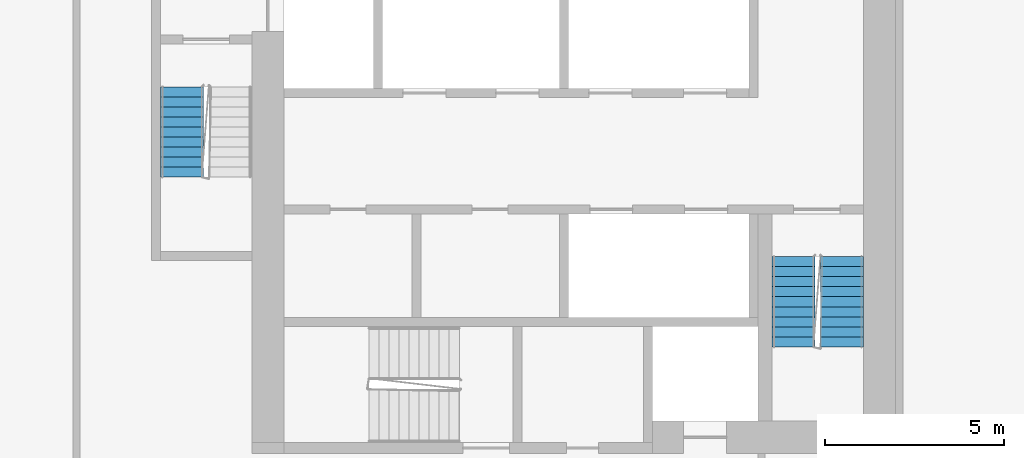
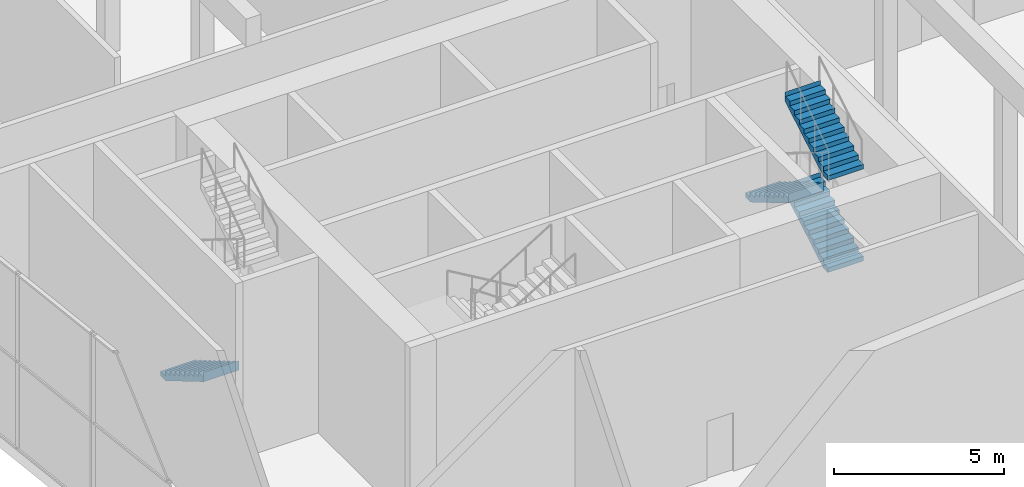
# One storey, part 17 of 24: 4 stair flights, 2 elements without a shape of their own.
"""IFC4 building model written with IfcOpenShell, lengths in metres."""

import ifcopenshell
import ifcopenshell.guid

model = None  # the IFC model being written
_history = None  # IfcOwnerHistory: only IFC2X3 demands one
_inside = {}  # id of a spatial element -> (the spatial element, [elements in it])
_under = {}  # id of a project, library or spatial element -> (it, [spatial elements below it])
_declared = {}  # id of a project -> (the project, [libraries it declares])
_typed = {}  # id of a type object -> (the type object, [elements of that type])
_made_of = {}  # id of a material, layer set ... -> (it, [elements and type objects made of it])


def new_model(schema):
    """Start an empty IFC model of exactly this schema.

    Asked for "IFC4X3", IfcOpenShell would pick the latest addendum, in which some entities
    have other attributes; the version numbers below select the first issue.
    IFC2X3 requires an IfcOwnerHistory on every rooted entity: one is made here for all.
    """
    global model, _history
    if schema == "IFC4X3":
        model = ifcopenshell.file(schema_version=(4, 3, 0, 0))
    else:
        model = ifcopenshell.file(schema=schema)
    _inside.clear()
    _under.clear()
    _declared.clear()
    _typed.clear()
    _made_of.clear()
    _history = None
    if model.schema == "IFC2X3":
        org = make("IfcOrganization", Name="unknown")
        user = make(
            "IfcPersonAndOrganization",
            ThePerson=make("IfcPerson", FamilyName="unknown"),
            TheOrganization=org,
        )
        app = make(
            "IfcApplication",
            ApplicationDeveloper=org,
            Version="unknown",
            ApplicationFullName="unknown",
            ApplicationIdentifier="unknown",
        )
        _history = make(
            "IfcOwnerHistory",
            OwningUser=user,
            OwningApplication=app,
            ChangeAction="ADDED",
            CreationDate=0,
        )
    return model


def make(cls, **values):
    """One entity of the class cls with the attributes given. An attribute that is None is left unset."""
    return model.create_entity(
        cls, **{name: value for name, value in values.items() if value is not None}
    )


def rooted(cls, **values):
    """An entity with a GlobalId (a new one), such as an element, a storey or a relation."""
    return make(cls, GlobalId=ifcopenshell.guid.new(), OwnerHistory=_history, **values)


def si_unit(unit_type, name, prefix=None):
    """IfcSIUnit, for example si_unit("LENGTHUNIT", "METRE", prefix="MILLI")."""
    return make("IfcSIUnit", UnitType=unit_type, Prefix=prefix, Name=name)


def assignment(units):
    """IfcUnitAssignment: the units of a project."""
    return None if units is None else make("IfcUnitAssignment", Units=units)


def point(xyz):
    """IfcCartesianPoint."""
    return None if xyz is None else make("IfcCartesianPoint", Coordinates=xyz)


def direction(xyz):
    """IfcDirection."""
    return None if xyz is None else make("IfcDirection", DirectionRatios=xyz)


def frame(location, z_axis=None, x_axis=None):
    """IfcAxis2Placement3D, a coordinate frame: its origin and axes. An axis left out is left unset."""
    return make(
        "IfcAxis2Placement3D",
        Location=point(location),
        Axis=direction(z_axis),
        RefDirection=direction(x_axis),
    )


def origin():
    """The frame at (0, 0, 0) with its axes left unset."""
    return frame((0.0, 0.0, 0.0))


def place(relative_to, where):
    """IfcLocalPlacement: puts the frame where relative to a parent placement (None: the world)."""
    return make(
        "IfcLocalPlacement", PlacementRelTo=relative_to, RelativePlacement=where
    )


def context(
    kind, dimensions, precision=None, world=None, true_north=None, identifier=None
):
    """IfcGeometricRepresentationContext, for example the 3D "Model" context."""
    return make(
        "IfcGeometricRepresentationContext",
        ContextIdentifier=identifier,
        ContextType=kind,
        CoordinateSpaceDimension=dimensions,
        Precision=precision,
        WorldCoordinateSystem=world,
        TrueNorth=true_north,
    )


def subcontext(parent, identifier, kind, view, scale=None):
    """IfcGeometricRepresentationSubContext, for example "Body" below "Model"."""
    return make(
        "IfcGeometricRepresentationSubContext",
        ContextIdentifier=identifier,
        ContextType=kind,
        ParentContext=parent,
        TargetScale=scale,
        TargetView=view,
    )


def project(units=None, contexts=None):
    """IfcProject with its units and contexts."""
    return rooted(
        "IfcProject",
        Name="project",
        RepresentationContexts=contexts,
        UnitsInContext=assignment(units),
    )


def spatial(cls, under=None, at=None, **own):
    """A site, building, storey or space (cls), placed at a placement, below another one or the project."""
    s = rooted(cls, ObjectPlacement=at, **own)
    if under is not None:
        _under.setdefault(under.id(), (under, []))[1].append(s)
    return s


def faces_of(points, faces, orient=None, outer=None):
    """IfcFace entities. A face is a list of loops; a loop is a list of indices into points, from 0.

    orient and outer hold one flag for each loop. By default every Orientation is true, the
    first loop of a face is its IfcFaceOuterBound and the others are IfcFaceBound.
    """
    made = []
    for i, loops in enumerate(faces):
        bounds = []
        for j, loop in enumerate(loops):
            is_outer = j == 0 if outer is None else outer[i][j]
            bounds.append(
                make(
                    "IfcFaceOuterBound" if is_outer else "IfcFaceBound",
                    Bound=make("IfcPolyLoop", Polygon=[points[k] for k in loop]),
                    Orientation=True if orient is None else orient[i][j],
                )
            )
        made.append(make("IfcFace", Bounds=bounds))
    return made


def faceted_brep(points, faces, orient=None, outer=None, voids=None):
    """IfcFacetedBrep: a solid bounded by flat faces; with voids (closed shells), ...WithVoids."""
    shared = [point(p) for p in points]
    hull = make("IfcClosedShell", CfsFaces=faces_of(shared, faces, orient, outer))
    if voids is None:
        return make("IfcFacetedBrep", Outer=hull)
    return make(
        "IfcFacetedBrepWithVoids",
        Outer=hull,
        Voids=[
            make(cls, CfsFaces=faces_of(shared, fs, o, b)) for cls, fs, o, b in voids
        ],
    )


def shape(context_of_items, identifier, shape_type, items):
    """IfcShapeRepresentation: the items that make up one representation, for example the "Body"."""
    return make(
        "IfcShapeRepresentation",
        ContextOfItems=context_of_items,
        RepresentationIdentifier=identifier,
        RepresentationType=shape_type,
        Items=items,
    )


def material(Name=None, Category=None):
    """IfcMaterial."""
    return make("IfcMaterial", Name=Name, Category=Category)


def made_of(thing, what):
    """Note that an element or type object is made of a material, layer set ...; save() writes the relation."""
    if what is not None:
        _made_of.setdefault(what.id(), (what, []))[1].append(thing)
    return thing


def type_object(cls, material=None, **own):
    """A type object (cls), such as IfcWallType, which elements share."""
    return made_of(rooted(cls, **own), material)


def element(
    cls,
    number,
    at=None,
    inside=None,
    cuts=None,
    type_object=None,
    material=None,
    context=None,
    identifier="Body",
    shape_type=None,
    held_by="IfcProductDefinitionShape",
    body=None,
    shapes=None,
    **own,
):
    """One element of the class cls, such as IfcWall. Its Tag is "e" and its number.

    at: its placement. inside: the storey or other place that contains it. cuts: it is an
    opening in that element (IfcRelVoidsElement). A single representation is given by context,
    identifier, shape_type and body (its items); several are given by shapes. held_by: the class
    of the entity that holds the representations. save() writes the other relations.
    """
    e = rooted(cls, Tag="e%d" % number, ObjectPlacement=at, **own)
    if body is not None:
        shapes = [shape(context, identifier, shape_type, body)]
    if shapes is not None:
        e.Representation = make(held_by, Representations=shapes)
    if inside is not None:
        _inside.setdefault(inside.id(), (inside, []))[1].append(e)
    if cuts is not None:
        rooted(
            "IfcRelVoidsElement", RelatingBuildingElement=cuts, RelatedOpeningElement=e
        )
    if type_object is not None:
        _typed.setdefault(type_object.id(), (type_object, []))[1].append(e)
    return made_of(e, material)


def aggregate(whole, parts):
    """IfcRelAggregates: a whole, such as a stair, and the parts it consists of."""
    return rooted("IfcRelAggregates", RelatingObject=whole, RelatedObjects=parts)


def save(model, path):
    """Write the relations noted so far, then the file.

    IfcRelAggregates (storeys below a building ...), IfcRelContainedInSpatialStructure (elements
    in a storey), IfcRelDefinesByType, IfcRelAssociatesMaterial and IfcRelDeclares: one each for
    every whole, place, type object, material and project.
    """
    for whole, parts in _under.values():
        aggregate(whole, parts)
    for where, things in _inside.values():
        rooted(
            "IfcRelContainedInSpatialStructure",
            RelatedElements=things,
            RelatingStructure=where,
        )
    for kind, things in _typed.values():
        rooted("IfcRelDefinesByType", RelatedObjects=things, RelatingType=kind)
    for what, things in _made_of.values():
        rooted("IfcRelAssociatesMaterial", RelatedObjects=things, RelatingMaterial=what)
    for by, libraries in _declared.values():
        rooted("IfcRelDeclares", RelatingContext=by, RelatedDefinitions=libraries)
    model.write(path)


model = new_model("IFC4")

# Units and contexts
model_context = context("Model", 3, precision=1e-05, world=origin(), true_north=direction((0.0, 1.0)))
body_context = subcontext(model_context, "Body", "Model", "MODEL_VIEW")
ifc_project = project(units=[si_unit("LENGTHUNIT", "METRE"), si_unit("AREAUNIT", "SQUARE_METRE"), si_unit("VOLUMEUNIT", "CUBIC_METRE"), si_unit("PLANEANGLEUNIT", "RADIAN"), si_unit("MASSUNIT", "GRAM", prefix="KILO")], contexts=[model_context])

# Site, building, storey
site_placement = place(None, origin())
site = spatial("IfcSite", under=ifc_project, at=site_placement, CompositionType="ELEMENT")
building_placement = place(site_placement, origin())
building = spatial("IfcBuilding", under=site, at=building_placement, Name="Kajstack Hotel Tower", CompositionType="ELEMENT")
storey_placement = place(building_placement, frame((0.0, 0.0, 261.89990234375)))
storey = spatial("IfcBuildingStorey", under=building, at=storey_placement, Name="L65", CompositionType="ELEMENT", Elevation=261.89990234375)

# Stair, stair flight
ifc_material = material(Name="Concrete C40/50", Category="concrete")
stair_type = type_object("IfcStairType", Name="Exit stair 1200", PredefinedType="HALF_TURN_STAIR", material=ifc_material)
stair_1_placement = place(storey_placement, origin())
stair_1 = element("IfcStair", 1, at=stair_1_placement, inside=storey, type_object=stair_type, Name="L65 stair W1", PredefinedType="HALF_TURN_STAIR")
stair_flight_type = type_object("IfcStairFlightType", Name="Exit stair flight 1200", PredefinedType="STRAIGHT", material=ifc_material)
stair_flight_1_placement = place(storey_placement, frame((-33.449951171875, -5.25, 0.0), z_axis=(0.0, 0.0, 1.0), x_axis=(0.0, -1.0, 0.0)))
stair_flight_1 = element("IfcStairFlight", 2, at=stair_flight_1_placement, type_object=stair_flight_type, Name="W1 flight 1", NumberOfRisers=10, NumberOfTreads=9, PredefinedType="STRAIGHT", RiserHeight=0.165, TreadLength=0.28, context=body_context, shape_type="Brep", body=[
    faceted_brep([(0.295654296875, -0.60009765625, 0.0), (2.5205078125, -0.60009765625, 1.31103515625), (2.5205078125, -0.60009765625, 1.64990234375), (2.52001953125, -0.60009765625, 1.64990234375), (2.52001953125, -0.60009765625, 1.485107421875), (2.239990234375, -0.60009765625, 1.485107421875), (2.239990234375, -0.60009765625, 1.320068359375), (1.9599609375, -0.60009765625, 1.320068359375), (1.9599609375, -0.60009765625, 1.155029296875), (1.679931640625, -0.60009765625, 1.155029296875), (1.679931640625, -0.60009765625, 0.989990234375), (1.39990234375, -0.60009765625, 0.989990234375), (1.39990234375, -0.60009765625, 0.824951171875), (1.1201171875, -0.60009765625, 0.824951171875), (1.1201171875, -0.60009765625, 0.659912109375), (0.840087890625, -0.60009765625, 0.659912109375), (0.840087890625, -0.60009765625, 0.4951171875), (0.56005859375, -0.60009765625, 0.4951171875), (0.56005859375, -0.60009765625, 0.330078125), (0.280029296875, -0.60009765625, 0.330078125), (0.280029296875, -0.60009765625, 0.1650390625), (-0.00048828125, -0.60009765625, 0.1650390625), (-0.00048828125, -0.60009765625, 0.0), (-0.00048828125, 0.60009765625, 0.0), (-0.00048828125, 0.60009765625, 0.1650390625), (0.280029296875, 0.60009765625, 0.1650390625), (0.280029296875, 0.60009765625, 0.330078125), (0.56005859375, 0.60009765625, 0.330078125), (0.56005859375, 0.60009765625, 0.4951171875), (0.840087890625, 0.60009765625, 0.4951171875), (0.840087890625, 0.60009765625, 0.659912109375), (1.1201171875, 0.60009765625, 0.659912109375), (1.1201171875, 0.60009765625, 0.824951171875), (1.39990234375, 0.60009765625, 0.824951171875), (1.39990234375, 0.60009765625, 0.989990234375), (1.679931640625, 0.60009765625, 0.989990234375), (1.679931640625, 0.60009765625, 1.155029296875), (1.9599609375, 0.60009765625, 1.155029296875), (1.9599609375, 0.60009765625, 1.320068359375), (2.239990234375, 0.60009765625, 1.320068359375), (2.239990234375, 0.60009765625, 1.485107421875), (2.52001953125, 0.60009765625, 1.485107421875), (2.52001953125, 0.60009765625, 1.64990234375), (2.5205078125, 0.60009765625, 1.64990234375), (2.5205078125, 0.60009765625, 1.31103515625), (0.295654296875, 0.60009765625, 0.0), (-0.00048828125, -0.300048828125, 0.1650390625), (-0.00048828125, 0.0, 0.1650390625), (-0.00048828125, 0.300048828125, 0.1650390625), (-0.00048828125, 0.300048828125, 0.0), (-0.00048828125, 0.0, 0.0), (-0.00048828125, -0.300048828125, 0.0), (0.280029296875, -0.300048828125, 0.1650390625), (0.280029296875, 0.0, 0.1650390625), (0.280029296875, 0.300048828125, 0.1650390625), (0.280029296875, -0.300048828125, 0.330078125), (0.280029296875, 0.0, 0.330078125), (0.280029296875, 0.300048828125, 0.330078125), (0.56005859375, -0.300048828125, 0.330078125), (0.56005859375, 0.0, 0.330078125), (0.56005859375, 0.300048828125, 0.330078125), (0.56005859375, -0.300048828125, 0.4951171875), (0.56005859375, 0.0, 0.4951171875), (0.56005859375, 0.300048828125, 0.4951171875), (0.840087890625, -0.300048828125, 0.4951171875), (0.840087890625, 0.0, 0.4951171875), (0.840087890625, 0.300048828125, 0.4951171875), (0.840087890625, -0.300048828125, 0.659912109375), (0.840087890625, 0.0, 0.659912109375), (0.840087890625, 0.300048828125, 0.659912109375), (1.1201171875, -0.300048828125, 0.659912109375), (1.1201171875, 0.0, 0.659912109375), (1.1201171875, 0.300048828125, 0.659912109375), (1.1201171875, -0.300048828125, 0.824951171875), (1.1201171875, 0.0, 0.824951171875), (1.1201171875, 0.300048828125, 0.824951171875), (1.39990234375, -0.300048828125, 0.824951171875), (1.39990234375, 0.0, 0.824951171875), (1.39990234375, 0.300048828125, 0.824951171875), (1.39990234375, -0.300048828125, 0.989990234375), (1.39990234375, 0.0, 0.989990234375), (1.39990234375, 0.300048828125, 0.989990234375), (1.679931640625, -0.300048828125, 0.989990234375), (1.679931640625, 0.0, 0.989990234375), (1.679931640625, 0.300048828125, 0.989990234375), (1.679931640625, -0.300048828125, 1.155029296875), (1.679931640625, 0.0, 1.155029296875), (1.679931640625, 0.300048828125, 1.155029296875), (1.9599609375, -0.300048828125, 1.155029296875), (1.9599609375, 0.0, 1.155029296875), (1.9599609375, 0.300048828125, 1.155029296875), (1.9599609375, -0.300048828125, 1.320068359375), (1.9599609375, 0.0, 1.320068359375), (1.9599609375, 0.300048828125, 1.320068359375), (2.239990234375, -0.300048828125, 1.320068359375), (2.239990234375, 0.0, 1.320068359375), (2.239990234375, 0.300048828125, 1.320068359375), (2.239990234375, -0.300048828125, 1.485107421875), (2.239990234375, 0.0, 1.485107421875), (2.239990234375, 0.300048828125, 1.485107421875), (2.52001953125, -0.300048828125, 1.485107421875), (2.52001953125, 0.0, 1.485107421875), (2.52001953125, 0.300048828125, 1.485107421875), (2.52001953125, -0.300048828125, 1.64990234375), (2.52001953125, 0.0, 1.64990234375), (2.52001953125, 0.300048828125, 1.64990234375), (2.5205078125, -0.300048828125, 1.64990234375), (2.5205078125, 0.0, 1.64990234375), (2.5205078125, 0.300048828125, 1.64990234375), (2.5205078125, -0.300048828125, 1.31103515625), (2.5205078125, 0.0, 1.31103515625), (2.5205078125, 0.300048828125, 1.31103515625), (0.295654296875, -0.300048828125, 0.0), (0.295654296875, 0.0, 0.0), (0.295654296875, 0.300048828125, 0.0)], [[[0, 1, 2, 3, 4, 5, 6, 7, 8, 9, 10, 11, 12, 13, 14, 15, 16, 17, 18, 19, 20, 21, 22]], [[23, 24, 25, 26, 27, 28, 29, 30, 31, 32, 33, 34, 35, 36, 37, 38, 39, 40, 41, 42, 43, 44, 45]], [[21, 46, 47, 48, 24, 23, 49, 50, 51, 22]], [[20, 52, 53, 54, 25, 24, 48, 47, 46, 21]], [[19, 55, 56, 57, 26, 25, 54, 53, 52, 20]], [[18, 58, 59, 60, 27, 26, 57, 56, 55, 19]], [[17, 61, 62, 63, 28, 27, 60, 59, 58, 18]], [[16, 64, 65, 66, 29, 28, 63, 62, 61, 17]], [[15, 67, 68, 69, 30, 29, 66, 65, 64, 16]], [[14, 70, 71, 72, 31, 30, 69, 68, 67, 15]], [[13, 73, 74, 75, 32, 31, 72, 71, 70, 14]], [[12, 76, 77, 78, 33, 32, 75, 74, 73, 13]], [[11, 79, 80, 81, 34, 33, 78, 77, 76, 12]], [[10, 82, 83, 84, 35, 34, 81, 80, 79, 11]], [[9, 85, 86, 87, 36, 35, 84, 83, 82, 10]], [[8, 88, 89, 90, 37, 36, 87, 86, 85, 9]], [[7, 91, 92, 93, 38, 37, 90, 89, 88, 8]], [[6, 94, 95, 96, 39, 38, 93, 92, 91, 7]], [[5, 97, 98, 99, 40, 39, 96, 95, 94, 6]], [[4, 100, 101, 102, 41, 40, 99, 98, 97, 5]], [[3, 103, 104, 105, 42, 41, 102, 101, 100, 4]], [[2, 106, 107, 108, 43, 42, 105, 104, 103, 3]], [[1, 109, 110, 111, 44, 43, 108, 107, 106, 2]], [[0, 112, 113, 114, 45, 44, 111, 110, 109, 1]], [[22, 51, 50, 49, 23, 45, 114, 113, 112, 0]]]),
])
aggregate(stair_1, [stair_flight_1])

# Stair, stair flights
stair_2_placement = place(storey_placement, origin())
stair_2 = element("IfcStair", 3, at=stair_2_placement, inside=storey, type_object=stair_type, Name="L65 stair W2", PredefinedType="HALF_TURN_STAIR")
stair_flight_2_placement = place(storey_placement, frame((-15.0, -12.52001953125, 1.650146484375), z_axis=(0.0, 0.0, 1.0), x_axis=(0.0, 1.0, 0.0)))
stair_flight_2 = element("IfcStairFlight", 4, at=stair_flight_2_placement, type_object=stair_flight_type, Name="W2 flight 2", NumberOfRisers=10, NumberOfTreads=9, PredefinedType="STRAIGHT", RiserHeight=0.165, TreadLength=0.28, context=body_context, shape_type="Brep", body=[
    faceted_brep([(0.295654296875, -0.60009765625, 0.0), (2.5205078125, -0.60009765625, 1.31103515625), (2.5205078125, -0.60009765625, 1.64990234375), (2.52001953125, -0.60009765625, 1.64990234375), (2.52001953125, -0.60009765625, 1.485107421875), (2.239990234375, -0.60009765625, 1.485107421875), (2.239990234375, -0.60009765625, 1.320068359375), (1.9599609375, -0.60009765625, 1.320068359375), (1.9599609375, -0.60009765625, 1.155029296875), (1.679931640625, -0.60009765625, 1.155029296875), (1.679931640625, -0.60009765625, 0.989990234375), (1.39990234375, -0.60009765625, 0.989990234375), (1.39990234375, -0.60009765625, 0.824951171875), (1.1201171875, -0.60009765625, 0.824951171875), (1.1201171875, -0.60009765625, 0.659912109375), (0.840087890625, -0.60009765625, 0.659912109375), (0.840087890625, -0.60009765625, 0.4951171875), (0.56005859375, -0.60009765625, 0.4951171875), (0.56005859375, -0.60009765625, 0.330078125), (0.280029296875, -0.60009765625, 0.330078125), (0.280029296875, -0.60009765625, 0.1650390625), (-0.00048828125, -0.60009765625, 0.1650390625), (-0.00048828125, -0.60009765625, 0.0), (-0.00048828125, 0.60009765625, 0.0), (-0.00048828125, 0.60009765625, 0.1650390625), (0.280029296875, 0.60009765625, 0.1650390625), (0.280029296875, 0.60009765625, 0.330078125), (0.56005859375, 0.60009765625, 0.330078125), (0.56005859375, 0.60009765625, 0.4951171875), (0.840087890625, 0.60009765625, 0.4951171875), (0.840087890625, 0.60009765625, 0.659912109375), (1.1201171875, 0.60009765625, 0.659912109375), (1.1201171875, 0.60009765625, 0.824951171875), (1.39990234375, 0.60009765625, 0.824951171875), (1.39990234375, 0.60009765625, 0.989990234375), (1.679931640625, 0.60009765625, 0.989990234375), (1.679931640625, 0.60009765625, 1.155029296875), (1.9599609375, 0.60009765625, 1.155029296875), (1.9599609375, 0.60009765625, 1.320068359375), (2.239990234375, 0.60009765625, 1.320068359375), (2.239990234375, 0.60009765625, 1.485107421875), (2.52001953125, 0.60009765625, 1.485107421875), (2.52001953125, 0.60009765625, 1.64990234375), (2.5205078125, 0.60009765625, 1.64990234375), (2.5205078125, 0.60009765625, 1.31103515625), (0.295654296875, 0.60009765625, 0.0), (-0.00048828125, -0.300048828125, 0.1650390625), (-0.00048828125, 0.0, 0.1650390625), (-0.00048828125, 0.300048828125, 0.1650390625), (-0.00048828125, 0.300048828125, 0.0), (-0.00048828125, 0.0, 0.0), (-0.00048828125, -0.300048828125, 0.0), (0.280029296875, -0.300048828125, 0.1650390625), (0.280029296875, 0.0, 0.1650390625), (0.280029296875, 0.300048828125, 0.1650390625), (0.280029296875, -0.300048828125, 0.330078125), (0.280029296875, 0.0, 0.330078125), (0.280029296875, 0.300048828125, 0.330078125), (0.56005859375, -0.300048828125, 0.330078125), (0.56005859375, 0.0, 0.330078125), (0.56005859375, 0.300048828125, 0.330078125), (0.56005859375, -0.300048828125, 0.4951171875), (0.56005859375, 0.0, 0.4951171875), (0.56005859375, 0.300048828125, 0.4951171875), (0.840087890625, -0.300048828125, 0.4951171875), (0.840087890625, 0.0, 0.4951171875), (0.840087890625, 0.300048828125, 0.4951171875), (0.840087890625, -0.300048828125, 0.659912109375), (0.840087890625, 0.0, 0.659912109375), (0.840087890625, 0.300048828125, 0.659912109375), (1.1201171875, -0.300048828125, 0.659912109375), (1.1201171875, 0.0, 0.659912109375), (1.1201171875, 0.300048828125, 0.659912109375), (1.1201171875, -0.300048828125, 0.824951171875), (1.1201171875, 0.0, 0.824951171875), (1.1201171875, 0.300048828125, 0.824951171875), (1.39990234375, -0.300048828125, 0.824951171875), (1.39990234375, 0.0, 0.824951171875), (1.39990234375, 0.300048828125, 0.824951171875), (1.39990234375, -0.300048828125, 0.989990234375), (1.39990234375, 0.0, 0.989990234375), (1.39990234375, 0.300048828125, 0.989990234375), (1.679931640625, -0.300048828125, 0.989990234375), (1.679931640625, 0.0, 0.989990234375), (1.679931640625, 0.300048828125, 0.989990234375), (1.679931640625, -0.300048828125, 1.155029296875), (1.679931640625, 0.0, 1.155029296875), (1.679931640625, 0.300048828125, 1.155029296875), (1.9599609375, -0.300048828125, 1.155029296875), (1.9599609375, 0.0, 1.155029296875), (1.9599609375, 0.300048828125, 1.155029296875), (1.9599609375, -0.300048828125, 1.320068359375), (1.9599609375, 0.0, 1.320068359375), (1.9599609375, 0.300048828125, 1.320068359375), (2.239990234375, -0.300048828125, 1.320068359375), (2.239990234375, 0.0, 1.320068359375), (2.239990234375, 0.300048828125, 1.320068359375), (2.239990234375, -0.300048828125, 1.485107421875), (2.239990234375, 0.0, 1.485107421875), (2.239990234375, 0.300048828125, 1.485107421875), (2.52001953125, -0.300048828125, 1.485107421875), (2.52001953125, 0.0, 1.485107421875), (2.52001953125, 0.300048828125, 1.485107421875), (2.52001953125, -0.300048828125, 1.64990234375), (2.52001953125, 0.0, 1.64990234375), (2.52001953125, 0.300048828125, 1.64990234375), (2.5205078125, -0.300048828125, 1.64990234375), (2.5205078125, 0.0, 1.64990234375), (2.5205078125, 0.300048828125, 1.64990234375), (2.5205078125, -0.300048828125, 1.31103515625), (2.5205078125, 0.0, 1.31103515625), (2.5205078125, 0.300048828125, 1.31103515625), (0.295654296875, -0.300048828125, 0.0), (0.295654296875, 0.0, 0.0), (0.295654296875, 0.300048828125, 0.0)], [[[0, 1, 2, 3, 4, 5, 6, 7, 8, 9, 10, 11, 12, 13, 14, 15, 16, 17, 18, 19, 20, 21, 22]], [[23, 24, 25, 26, 27, 28, 29, 30, 31, 32, 33, 34, 35, 36, 37, 38, 39, 40, 41, 42, 43, 44, 45]], [[21, 46, 47, 48, 24, 23, 49, 50, 51, 22]], [[20, 52, 53, 54, 25, 24, 48, 47, 46, 21]], [[19, 55, 56, 57, 26, 25, 54, 53, 52, 20]], [[18, 58, 59, 60, 27, 26, 57, 56, 55, 19]], [[17, 61, 62, 63, 28, 27, 60, 59, 58, 18]], [[16, 64, 65, 66, 29, 28, 63, 62, 61, 17]], [[15, 67, 68, 69, 30, 29, 66, 65, 64, 16]], [[14, 70, 71, 72, 31, 30, 69, 68, 67, 15]], [[13, 73, 74, 75, 32, 31, 72, 71, 70, 14]], [[12, 76, 77, 78, 33, 32, 75, 74, 73, 13]], [[11, 79, 80, 81, 34, 33, 78, 77, 76, 12]], [[10, 82, 83, 84, 35, 34, 81, 80, 79, 11]], [[9, 85, 86, 87, 36, 35, 84, 83, 82, 10]], [[8, 88, 89, 90, 37, 36, 87, 86, 85, 9]], [[7, 91, 92, 93, 38, 37, 90, 89, 88, 8]], [[6, 94, 95, 96, 39, 38, 93, 92, 91, 7]], [[5, 97, 98, 99, 40, 39, 96, 95, 94, 6]], [[4, 100, 101, 102, 41, 40, 99, 98, 97, 5]], [[3, 103, 104, 105, 42, 41, 102, 101, 100, 4]], [[2, 106, 107, 108, 43, 42, 105, 104, 103, 3]], [[1, 109, 110, 111, 44, 43, 108, 107, 106, 2]], [[0, 112, 113, 114, 45, 44, 111, 110, 109, 1]], [[22, 51, 50, 49, 23, 45, 114, 113, 112, 0]]]),
])
stair_flight_3_placement = place(storey_placement, frame((-16.35009765625, -10.0, 3.300048828125), z_axis=(0.0, 0.0, 1.0), x_axis=(0.0, -1.0, 0.0)))
stair_flight_3 = element("IfcStairFlight", 5, at=stair_flight_3_placement, type_object=stair_flight_type, Name="W2 flight 3", NumberOfRisers=10, NumberOfTreads=9, PredefinedType="STRAIGHT", RiserHeight=0.165, TreadLength=0.28, context=body_context, shape_type="Brep", body=[
    faceted_brep([(0.295654296875, -0.60009765625, 0.0), (2.5205078125, -0.60009765625, 1.31103515625), (2.5205078125, -0.60009765625, 1.64990234375), (2.52001953125, -0.60009765625, 1.64990234375), (2.52001953125, -0.60009765625, 1.485107421875), (2.239990234375, -0.60009765625, 1.485107421875), (2.239990234375, -0.60009765625, 1.320068359375), (1.9599609375, -0.60009765625, 1.320068359375), (1.9599609375, -0.60009765625, 1.155029296875), (1.679931640625, -0.60009765625, 1.155029296875), (1.679931640625, -0.60009765625, 0.989990234375), (1.39990234375, -0.60009765625, 0.989990234375), (1.39990234375, -0.60009765625, 0.824951171875), (1.1201171875, -0.60009765625, 0.824951171875), (1.1201171875, -0.60009765625, 0.659912109375), (0.840087890625, -0.60009765625, 0.659912109375), (0.840087890625, -0.60009765625, 0.4951171875), (0.56005859375, -0.60009765625, 0.4951171875), (0.56005859375, -0.60009765625, 0.330078125), (0.280029296875, -0.60009765625, 0.330078125), (0.280029296875, -0.60009765625, 0.1650390625), (-0.00048828125, -0.60009765625, 0.1650390625), (-0.00048828125, -0.60009765625, 0.0), (-0.00048828125, 0.60009765625, 0.0), (-0.00048828125, 0.60009765625, 0.1650390625), (0.280029296875, 0.60009765625, 0.1650390625), (0.280029296875, 0.60009765625, 0.330078125), (0.56005859375, 0.60009765625, 0.330078125), (0.56005859375, 0.60009765625, 0.4951171875), (0.840087890625, 0.60009765625, 0.4951171875), (0.840087890625, 0.60009765625, 0.659912109375), (1.1201171875, 0.60009765625, 0.659912109375), (1.1201171875, 0.60009765625, 0.824951171875), (1.39990234375, 0.60009765625, 0.824951171875), (1.39990234375, 0.60009765625, 0.989990234375), (1.679931640625, 0.60009765625, 0.989990234375), (1.679931640625, 0.60009765625, 1.155029296875), (1.9599609375, 0.60009765625, 1.155029296875), (1.9599609375, 0.60009765625, 1.320068359375), (2.239990234375, 0.60009765625, 1.320068359375), (2.239990234375, 0.60009765625, 1.485107421875), (2.52001953125, 0.60009765625, 1.485107421875), (2.52001953125, 0.60009765625, 1.64990234375), (2.5205078125, 0.60009765625, 1.64990234375), (2.5205078125, 0.60009765625, 1.31103515625), (0.295654296875, 0.60009765625, 0.0), (-0.00048828125, -0.300048828125, 0.1650390625), (-0.00048828125, 0.0, 0.1650390625), (-0.00048828125, 0.300048828125, 0.1650390625), (-0.00048828125, 0.300048828125, 0.0), (-0.00048828125, 0.0, 0.0), (-0.00048828125, -0.300048828125, 0.0), (0.280029296875, -0.300048828125, 0.1650390625), (0.280029296875, 0.0, 0.1650390625), (0.280029296875, 0.300048828125, 0.1650390625), (0.280029296875, -0.300048828125, 0.330078125), (0.280029296875, 0.0, 0.330078125), (0.280029296875, 0.300048828125, 0.330078125), (0.56005859375, -0.300048828125, 0.330078125), (0.56005859375, 0.0, 0.330078125), (0.56005859375, 0.300048828125, 0.330078125), (0.56005859375, -0.300048828125, 0.4951171875), (0.56005859375, 0.0, 0.4951171875), (0.56005859375, 0.300048828125, 0.4951171875), (0.840087890625, -0.300048828125, 0.4951171875), (0.840087890625, 0.0, 0.4951171875), (0.840087890625, 0.300048828125, 0.4951171875), (0.840087890625, -0.300048828125, 0.659912109375), (0.840087890625, 0.0, 0.659912109375), (0.840087890625, 0.300048828125, 0.659912109375), (1.1201171875, -0.300048828125, 0.659912109375), (1.1201171875, 0.0, 0.659912109375), (1.1201171875, 0.300048828125, 0.659912109375), (1.1201171875, -0.300048828125, 0.824951171875), (1.1201171875, 0.0, 0.824951171875), (1.1201171875, 0.300048828125, 0.824951171875), (1.39990234375, -0.300048828125, 0.824951171875), (1.39990234375, 0.0, 0.824951171875), (1.39990234375, 0.300048828125, 0.824951171875), (1.39990234375, -0.300048828125, 0.989990234375), (1.39990234375, 0.0, 0.989990234375), (1.39990234375, 0.300048828125, 0.989990234375), (1.679931640625, -0.300048828125, 0.989990234375), (1.679931640625, 0.0, 0.989990234375), (1.679931640625, 0.300048828125, 0.989990234375), (1.679931640625, -0.300048828125, 1.155029296875), (1.679931640625, 0.0, 1.155029296875), (1.679931640625, 0.300048828125, 1.155029296875), (1.9599609375, -0.300048828125, 1.155029296875), (1.9599609375, 0.0, 1.155029296875), (1.9599609375, 0.300048828125, 1.155029296875), (1.9599609375, -0.300048828125, 1.320068359375), (1.9599609375, 0.0, 1.320068359375), (1.9599609375, 0.300048828125, 1.320068359375), (2.239990234375, -0.300048828125, 1.320068359375), (2.239990234375, 0.0, 1.320068359375), (2.239990234375, 0.300048828125, 1.320068359375), (2.239990234375, -0.300048828125, 1.485107421875), (2.239990234375, 0.0, 1.485107421875), (2.239990234375, 0.300048828125, 1.485107421875), (2.52001953125, -0.300048828125, 1.485107421875), (2.52001953125, 0.0, 1.485107421875), (2.52001953125, 0.300048828125, 1.485107421875), (2.52001953125, -0.300048828125, 1.64990234375), (2.52001953125, 0.0, 1.64990234375), (2.52001953125, 0.300048828125, 1.64990234375), (2.5205078125, -0.300048828125, 1.64990234375), (2.5205078125, 0.0, 1.64990234375), (2.5205078125, 0.300048828125, 1.64990234375), (2.5205078125, -0.300048828125, 1.31103515625), (2.5205078125, 0.0, 1.31103515625), (2.5205078125, 0.300048828125, 1.31103515625), (0.295654296875, -0.300048828125, 0.0), (0.295654296875, 0.0, 0.0), (0.295654296875, 0.300048828125, 0.0)], [[[0, 1, 2, 3, 4, 5, 6, 7, 8, 9, 10, 11, 12, 13, 14, 15, 16, 17, 18, 19, 20, 21, 22]], [[23, 24, 25, 26, 27, 28, 29, 30, 31, 32, 33, 34, 35, 36, 37, 38, 39, 40, 41, 42, 43, 44, 45]], [[21, 46, 47, 48, 24, 23, 49, 50, 51, 22]], [[20, 52, 53, 54, 25, 24, 48, 47, 46, 21]], [[19, 55, 56, 57, 26, 25, 54, 53, 52, 20]], [[18, 58, 59, 60, 27, 26, 57, 56, 55, 19]], [[17, 61, 62, 63, 28, 27, 60, 59, 58, 18]], [[16, 64, 65, 66, 29, 28, 63, 62, 61, 17]], [[15, 67, 68, 69, 30, 29, 66, 65, 64, 16]], [[14, 70, 71, 72, 31, 30, 69, 68, 67, 15]], [[13, 73, 74, 75, 32, 31, 72, 71, 70, 14]], [[12, 76, 77, 78, 33, 32, 75, 74, 73, 13]], [[11, 79, 80, 81, 34, 33, 78, 77, 76, 12]], [[10, 82, 83, 84, 35, 34, 81, 80, 79, 11]], [[9, 85, 86, 87, 36, 35, 84, 83, 82, 10]], [[8, 88, 89, 90, 37, 36, 87, 86, 85, 9]], [[7, 91, 92, 93, 38, 37, 90, 89, 88, 8]], [[6, 94, 95, 96, 39, 38, 93, 92, 91, 7]], [[5, 97, 98, 99, 40, 39, 96, 95, 94, 6]], [[4, 100, 101, 102, 41, 40, 99, 98, 97, 5]], [[3, 103, 104, 105, 42, 41, 102, 101, 100, 4]], [[2, 106, 107, 108, 43, 42, 105, 104, 103, 3]], [[1, 109, 110, 111, 44, 43, 108, 107, 106, 2]], [[0, 112, 113, 114, 45, 44, 111, 110, 109, 1]], [[22, 51, 50, 49, 23, 45, 114, 113, 112, 0]]]),
])
stair_flight_4_placement = place(storey_placement, frame((-15.0, -12.52001953125, 4.9501953125), z_axis=(0.0, 0.0, 1.0), x_axis=(0.0, 1.0, 0.0)))
stair_flight_4 = element("IfcStairFlight", 6, at=stair_flight_4_placement, type_object=stair_flight_type, Name="W2 flight 4", NumberOfRisers=10, NumberOfTreads=9, PredefinedType="STRAIGHT", RiserHeight=0.165, TreadLength=0.28, context=body_context, shape_type="Brep", body=[
    faceted_brep([(0.295654296875, -0.60009765625, 0.0), (2.5205078125, -0.60009765625, 1.31103515625), (2.5205078125, -0.60009765625, 1.64990234375), (2.52001953125, -0.60009765625, 1.64990234375), (2.52001953125, -0.60009765625, 1.485107421875), (2.239990234375, -0.60009765625, 1.485107421875), (2.239990234375, -0.60009765625, 1.320068359375), (1.9599609375, -0.60009765625, 1.320068359375), (1.9599609375, -0.60009765625, 1.155029296875), (1.679931640625, -0.60009765625, 1.155029296875), (1.679931640625, -0.60009765625, 0.989990234375), (1.39990234375, -0.60009765625, 0.989990234375), (1.39990234375, -0.60009765625, 0.824951171875), (1.1201171875, -0.60009765625, 0.824951171875), (1.1201171875, -0.60009765625, 0.659912109375), (0.840087890625, -0.60009765625, 0.659912109375), (0.840087890625, -0.60009765625, 0.4951171875), (0.56005859375, -0.60009765625, 0.4951171875), (0.56005859375, -0.60009765625, 0.330078125), (0.280029296875, -0.60009765625, 0.330078125), (0.280029296875, -0.60009765625, 0.1650390625), (-0.00048828125, -0.60009765625, 0.1650390625), (-0.00048828125, -0.60009765625, 0.0), (-0.00048828125, 0.60009765625, 0.0), (-0.00048828125, 0.60009765625, 0.1650390625), (0.280029296875, 0.60009765625, 0.1650390625), (0.280029296875, 0.60009765625, 0.330078125), (0.56005859375, 0.60009765625, 0.330078125), (0.56005859375, 0.60009765625, 0.4951171875), (0.840087890625, 0.60009765625, 0.4951171875), (0.840087890625, 0.60009765625, 0.659912109375), (1.1201171875, 0.60009765625, 0.659912109375), (1.1201171875, 0.60009765625, 0.824951171875), (1.39990234375, 0.60009765625, 0.824951171875), (1.39990234375, 0.60009765625, 0.989990234375), (1.679931640625, 0.60009765625, 0.989990234375), (1.679931640625, 0.60009765625, 1.155029296875), (1.9599609375, 0.60009765625, 1.155029296875), (1.9599609375, 0.60009765625, 1.320068359375), (2.239990234375, 0.60009765625, 1.320068359375), (2.239990234375, 0.60009765625, 1.485107421875), (2.52001953125, 0.60009765625, 1.485107421875), (2.52001953125, 0.60009765625, 1.64990234375), (2.5205078125, 0.60009765625, 1.64990234375), (2.5205078125, 0.60009765625, 1.31103515625), (0.295654296875, 0.60009765625, 0.0), (-0.00048828125, -0.300048828125, 0.1650390625), (-0.00048828125, 0.0, 0.1650390625), (-0.00048828125, 0.300048828125, 0.1650390625), (-0.00048828125, 0.300048828125, 0.0), (-0.00048828125, 0.0, 0.0), (-0.00048828125, -0.300048828125, 0.0), (0.280029296875, -0.300048828125, 0.1650390625), (0.280029296875, 0.0, 0.1650390625), (0.280029296875, 0.300048828125, 0.1650390625), (0.280029296875, -0.300048828125, 0.330078125), (0.280029296875, 0.0, 0.330078125), (0.280029296875, 0.300048828125, 0.330078125), (0.56005859375, -0.300048828125, 0.330078125), (0.56005859375, 0.0, 0.330078125), (0.56005859375, 0.300048828125, 0.330078125), (0.56005859375, -0.300048828125, 0.4951171875), (0.56005859375, 0.0, 0.4951171875), (0.56005859375, 0.300048828125, 0.4951171875), (0.840087890625, -0.300048828125, 0.4951171875), (0.840087890625, 0.0, 0.4951171875), (0.840087890625, 0.300048828125, 0.4951171875), (0.840087890625, -0.300048828125, 0.659912109375), (0.840087890625, 0.0, 0.659912109375), (0.840087890625, 0.300048828125, 0.659912109375), (1.1201171875, -0.300048828125, 0.659912109375), (1.1201171875, 0.0, 0.659912109375), (1.1201171875, 0.300048828125, 0.659912109375), (1.1201171875, -0.300048828125, 0.824951171875), (1.1201171875, 0.0, 0.824951171875), (1.1201171875, 0.300048828125, 0.824951171875), (1.39990234375, -0.300048828125, 0.824951171875), (1.39990234375, 0.0, 0.824951171875), (1.39990234375, 0.300048828125, 0.824951171875), (1.39990234375, -0.300048828125, 0.989990234375), (1.39990234375, 0.0, 0.989990234375), (1.39990234375, 0.300048828125, 0.989990234375), (1.679931640625, -0.300048828125, 0.989990234375), (1.679931640625, 0.0, 0.989990234375), (1.679931640625, 0.300048828125, 0.989990234375), (1.679931640625, -0.300048828125, 1.155029296875), (1.679931640625, 0.0, 1.155029296875), (1.679931640625, 0.300048828125, 1.155029296875), (1.9599609375, -0.300048828125, 1.155029296875), (1.9599609375, 0.0, 1.155029296875), (1.9599609375, 0.300048828125, 1.155029296875), (1.9599609375, -0.300048828125, 1.320068359375), (1.9599609375, 0.0, 1.320068359375), (1.9599609375, 0.300048828125, 1.320068359375), (2.239990234375, -0.300048828125, 1.320068359375), (2.239990234375, 0.0, 1.320068359375), (2.239990234375, 0.300048828125, 1.320068359375), (2.239990234375, -0.300048828125, 1.485107421875), (2.239990234375, 0.0, 1.485107421875), (2.239990234375, 0.300048828125, 1.485107421875), (2.52001953125, -0.300048828125, 1.485107421875), (2.52001953125, 0.0, 1.485107421875), (2.52001953125, 0.300048828125, 1.485107421875), (2.52001953125, -0.300048828125, 1.64990234375), (2.52001953125, 0.0, 1.64990234375), (2.52001953125, 0.300048828125, 1.64990234375), (2.5205078125, -0.300048828125, 1.64990234375), (2.5205078125, 0.0, 1.64990234375), (2.5205078125, 0.300048828125, 1.64990234375), (2.5205078125, -0.300048828125, 1.31103515625), (2.5205078125, 0.0, 1.31103515625), (2.5205078125, 0.300048828125, 1.31103515625), (0.295654296875, -0.300048828125, 0.0), (0.295654296875, 0.0, 0.0), (0.295654296875, 0.300048828125, 0.0)], [[[0, 1, 2, 3, 4, 5, 6, 7, 8, 9, 10, 11, 12, 13, 14, 15, 16, 17, 18, 19, 20, 21, 22]], [[23, 24, 25, 26, 27, 28, 29, 30, 31, 32, 33, 34, 35, 36, 37, 38, 39, 40, 41, 42, 43, 44, 45]], [[21, 46, 47, 48, 24, 23, 49, 50, 51, 22]], [[20, 52, 53, 54, 25, 24, 48, 47, 46, 21]], [[19, 55, 56, 57, 26, 25, 54, 53, 52, 20]], [[18, 58, 59, 60, 27, 26, 57, 56, 55, 19]], [[17, 61, 62, 63, 28, 27, 60, 59, 58, 18]], [[16, 64, 65, 66, 29, 28, 63, 62, 61, 17]], [[15, 67, 68, 69, 30, 29, 66, 65, 64, 16]], [[14, 70, 71, 72, 31, 30, 69, 68, 67, 15]], [[13, 73, 74, 75, 32, 31, 72, 71, 70, 14]], [[12, 76, 77, 78, 33, 32, 75, 74, 73, 13]], [[11, 79, 80, 81, 34, 33, 78, 77, 76, 12]], [[10, 82, 83, 84, 35, 34, 81, 80, 79, 11]], [[9, 85, 86, 87, 36, 35, 84, 83, 82, 10]], [[8, 88, 89, 90, 37, 36, 87, 86, 85, 9]], [[7, 91, 92, 93, 38, 37, 90, 89, 88, 8]], [[6, 94, 95, 96, 39, 38, 93, 92, 91, 7]], [[5, 97, 98, 99, 40, 39, 96, 95, 94, 6]], [[4, 100, 101, 102, 41, 40, 99, 98, 97, 5]], [[3, 103, 104, 105, 42, 41, 102, 101, 100, 4]], [[2, 106, 107, 108, 43, 42, 105, 104, 103, 3]], [[1, 109, 110, 111, 44, 43, 108, 107, 106, 2]], [[0, 112, 113, 114, 45, 44, 111, 110, 109, 1]], [[22, 51, 50, 49, 23, 45, 114, 113, 112, 0]]]),
])
aggregate(stair_2, [stair_flight_2, stair_flight_3, stair_flight_4])

save(model, "model.ifc")
